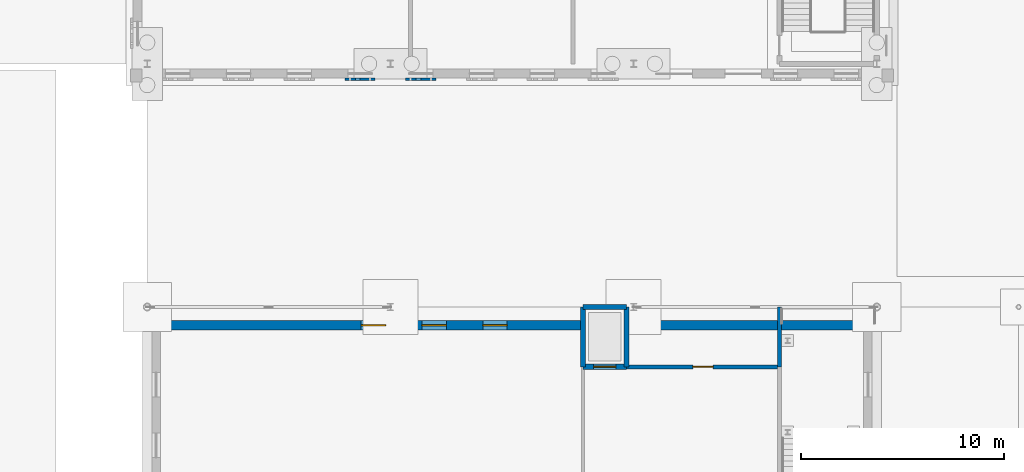
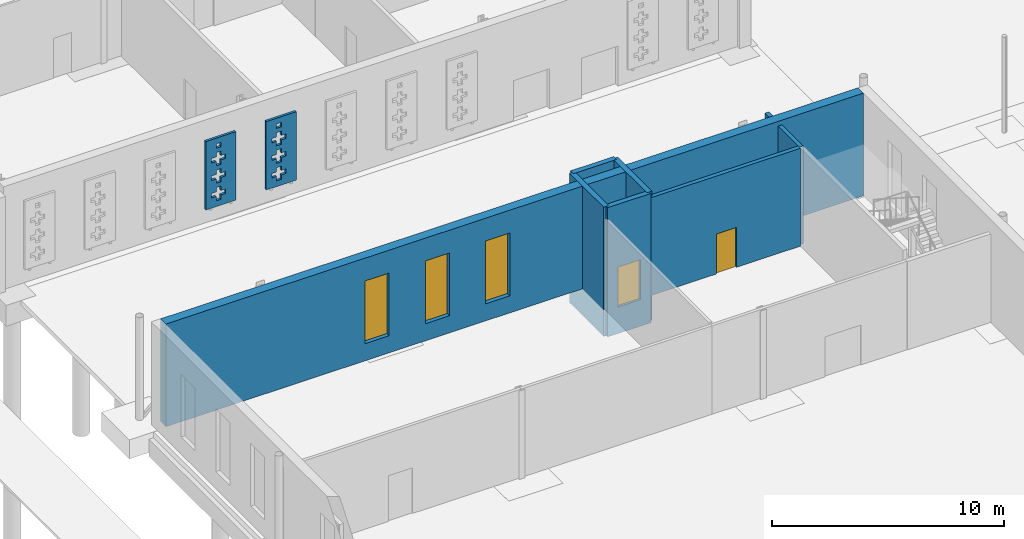
# One storey, part 79 of 132: 9 walls, 3 windows, 2 doors, 37 openings.
"""IFC4 building model written with IfcOpenShell, lengths in metres."""

from ifc_helpers import new_model, si_unit, direction, frame, frame_2d, origin, place, context, subcontext, project, spatial, rectangle, extrude, material, layer, layer_set, type_object, element, fill, save


model = new_model("IFC4")

# Units and contexts
model_context = context("Model", 3, precision=1e-05, world=origin(), true_north=direction((0.0, 1.0)))
body_context = subcontext(model_context, "Body", "Model", "MODEL_VIEW")
ifc_project = project(units=[si_unit("LENGTHUNIT", "METRE"), si_unit("AREAUNIT", "SQUARE_METRE"), si_unit("VOLUMEUNIT", "CUBIC_METRE"), si_unit("PLANEANGLEUNIT", "RADIAN"), si_unit("MASSUNIT", "GRAM", prefix="KILO")], contexts=[model_context])

# Site, building, storey
site_placement = place(None, origin())
site = spatial("IfcSite", under=ifc_project, at=site_placement, CompositionType="ELEMENT")
building_placement = place(site_placement, origin())
building = spatial("IfcBuilding", under=site, at=building_placement, Name="Ravi Spectrum Wholesale Market", CompositionType="ELEMENT")
storey_placement = place(building_placement, origin())
storey = spatial("IfcBuildingStorey", under=building, at=storey_placement, Name="L00", CompositionType="ELEMENT", Elevation=0.0)

# Wall, opening, door
ifc_material_1 = material(Name="Concrete blockwork", Category="masonry")
ifc_layer_1 = layer(ifc_material_1, 0.199951171875)
ifc_layer_set_1 = layer_set([ifc_layer_1], Name="Concrete blockwork")
wall_type_1 = type_object("IfcWallType", Name="Blockwork partition 200 fire", PredefinedType="PARTITIONING", material=ifc_layer_set_1)
wall_1_placement = place(storey_placement, frame((185.64990234375, 183.050048828125, 0.0), z_axis=(0.0, 0.0, 1.0), x_axis=(1.0, 0.0, 0.0)))
wall_1 = element("IfcWall", 1, at=wall_1_placement, inside=storey, type_object=wall_type_1, Name="H3-WL-L00-015", PredefinedType="PARTITIONING", context=body_context, shape_type="SweptSolid", body=[
    extrude(rectangle(XDim=7.4501953125, YDim=0.199951171875, at=frame_2d((3.72509765625, 0.0))), origin(), (0.0, 0.0, 1.0), 5.14990234375),
])
opening_1_placement = place(wall_1_placement, frame((3.27490234375, 0.0, 0.0)))
opening_1 = element("IfcOpeningElement", 2, at=opening_1_placement, cuts=wall_1, Name="Opening D367", PredefinedType="OPENING", context=body_context, shape_type="SweptSolid", body=[
    extrude(rectangle(XDim=1.0, YDim=2.10009765625, at=frame_2d((0.5, 1.050048828125))), frame((0.0, 0.10986328125, 0.0), z_axis=(0.0, -1.0, 0.0), x_axis=(1.0, 0.0, 0.0)), (0.0, 0.0, 1.0), 0.219970703125),
])
ifc_material_2 = material(Name="Steel door", Category="steel")
door_type_1 = type_object("IfcDoorType", Name="Plant room door 1000 x 2100", OperationType="SINGLE_SWING_LEFT", PredefinedType="DOOR", material=ifc_material_2)
door_1_placement = place(opening_1_placement, origin())
door_1 = element("IfcDoor", 3, at=door_1_placement, inside=storey, type_object=door_type_1, Name="Riser access door D367", OperationType="SINGLE_SWING_LEFT", OverallHeight=2.10009765625, OverallWidth=1.0, PredefinedType="DOOR", context=body_context, shape_type="SweptSolid", body=[
    extrude(rectangle(XDim=1.0, YDim=2.10009765625, at=frame_2d((0.5, 1.050048828125))), frame((0.0, 0.02490234375, 0.0), z_axis=(0.0, -1.0, 0.0), x_axis=(1.0, 0.0, 0.0)), (0.0, 0.0, 1.0), 0.050048828125),
])
fill(opening_1, door_1)

# Wall
wall_2_placement = place(storey_placement, frame((193.199951171875, 183.050048828125, 0.0), z_axis=(0.0, 0.0, 1.0), x_axis=(0.0, 1.0, 0.0)))
element("IfcWall", 4, at=wall_2_placement, inside=storey, type_object=wall_type_1, Name="H3-WL-L00-021", PredefinedType="PARTITIONING", context=body_context, shape_type="SweptSolid", body=[
    extrude(rectangle(XDim=2.949951171875, YDim=0.199951171875, at=frame_2d((1.47509765625, 0.0))), origin(), (0.0, 0.0, 1.0), 5.14990234375),
])

# Wall, openings, windows
ifc_material_3 = material(Name="Clinker brickwork", Category="masonry")
ifc_layer_2 = layer(ifc_material_3, 0.4599609375)
ifc_layer_set_2 = layer_set([ifc_layer_2], Name="Clinker brickwork")
wall_type_2 = type_object("IfcWallType", Name="Brick 460 pier wall", PredefinedType="SOLIDWALL", material=ifc_layer_set_2)
wall_3_placement = place(storey_placement, frame((162.65771484375, 185.10009765625, 0.0), z_axis=(0.0, 0.0, 1.0), x_axis=(1.0, 0.0, 0.0)))
wall_3 = element("IfcWall", 5, at=wall_3_placement, inside=storey, type_object=wall_type_2, Name="Flower Hall north wall", PredefinedType="SOLIDWALL", context=body_context, shape_type="SweptSolid", body=[
    extrude(rectangle(XDim=34.6845703125, YDim=0.4599609375, at=frame_2d((17.34228515625, 0.0))), origin(), (0.0, 0.0, 1.0), 5.39990234375),
])
opening_2_placement = place(wall_3_placement, frame((9.89990234375, 0.0, 0.89990234375)))
opening_2 = element("IfcOpeningElement", 6, at=opening_2_placement, cuts=wall_3, Name="Opening W2229", PredefinedType="OPENING", context=body_context, shape_type="SweptSolid", body=[
    extrude(rectangle(XDim=1.199951171875, YDim=3.300048828125, at=frame_2d((0.60009765625, 1.64990234375))), frame((0.0, 0.239990234375, 0.0), z_axis=(0.0, -1.0, 0.0), x_axis=(1.0, 0.0, 0.0)), (0.0, 0.0, 1.0), 0.47998046875),
])
opening_3_placement = place(wall_3_placement, frame((12.89990234375, 0.0, 0.89990234375)))
opening_3 = element("IfcOpeningElement", 7, at=opening_3_placement, cuts=wall_3, Name="Opening W2230", PredefinedType="OPENING", context=body_context, shape_type="SweptSolid", body=[
    extrude(rectangle(XDim=1.199951171875, YDim=3.300048828125, at=frame_2d((0.60009765625, 1.64990234375))), frame((0.0, 0.239990234375, 0.0), z_axis=(0.0, -1.0, 0.0), x_axis=(1.0, 0.0, 0.0)), (0.0, 0.0, 1.0), 0.47998046875),
])
opening_4_placement = place(wall_3_placement, frame((15.89990234375, 0.0, 0.89990234375)))
opening_4 = element("IfcOpeningElement", 8, at=opening_4_placement, cuts=wall_3, Name="Opening W2231", PredefinedType="OPENING", context=body_context, shape_type="SweptSolid", body=[
    extrude(rectangle(XDim=1.199951171875, YDim=3.300048828125, at=frame_2d((0.60009765625, 1.64990234375))), frame((0.0, 0.239990234375, 0.0), z_axis=(0.0, -1.0, 0.0), x_axis=(1.0, 0.0, 0.0)), (0.0, 0.0, 1.0), 0.47998046875),
])
ifc_material_4 = material(Name="Steel window frame", Category="steel")
window_type = type_object("IfcWindowType", Name="Tall pier window 1200 x 3300", PartitioningType="SINGLE_PANEL", PredefinedType="WINDOW", material=ifc_material_4)
window_1_placement = place(opening_2_placement, origin())
window_1 = element("IfcWindow", 9, at=window_1_placement, inside=storey, type_object=window_type, Name="Window W2229", OverallHeight=3.300048828125, OverallWidth=1.199951171875, PartitioningType="SINGLE_PANEL", PredefinedType="WINDOW", context=body_context, shape_type="SweptSolid", body=[
    extrude(rectangle(XDim=1.199951171875, YDim=3.300048828125, at=frame_2d((0.60009765625, 1.64990234375))), frame((0.0, 0.030029296875, 0.0), z_axis=(0.0, -1.0, 0.0), x_axis=(1.0, 0.0, 0.0)), (0.0, 0.0, 1.0), 0.06005859375),
])
fill(opening_2, window_1)
window_2_placement = place(opening_3_placement, origin())
window_2 = element("IfcWindow", 10, at=window_2_placement, inside=storey, type_object=window_type, Name="Window W2230", OverallHeight=3.300048828125, OverallWidth=1.199951171875, PartitioningType="SINGLE_PANEL", PredefinedType="WINDOW", context=body_context, shape_type="SweptSolid", body=[
    extrude(rectangle(XDim=1.199951171875, YDim=3.300048828125, at=frame_2d((0.60009765625, 1.64990234375))), frame((0.0, 0.030029296875, 0.0), z_axis=(0.0, -1.0, 0.0), x_axis=(1.0, 0.0, 0.0)), (0.0, 0.0, 1.0), 0.06005859375),
])
fill(opening_3, window_2)
window_3_placement = place(opening_4_placement, origin())
window_3 = element("IfcWindow", 11, at=window_3_placement, inside=storey, type_object=window_type, Name="Window W2231", OverallHeight=3.300048828125, OverallWidth=1.199951171875, PartitioningType="SINGLE_PANEL", PredefinedType="WINDOW", context=body_context, shape_type="SweptSolid", body=[
    extrude(rectangle(XDim=1.199951171875, YDim=3.300048828125, at=frame_2d((0.60009765625, 1.64990234375))), frame((0.0, 0.030029296875, 0.0), z_axis=(0.0, -1.0, 0.0), x_axis=(1.0, 0.0, 0.0)), (0.0, 0.0, 1.0), 0.06005859375),
])
fill(opening_4, window_3)

# Wall, openings
ifc_material_5 = material(Name="Facing brickwork", Category="masonry")
ifc_layer_3 = layer(ifc_material_5, 0.114990234375)
ifc_layer_set_3 = layer_set([ifc_layer_3], Name="Facing brickwork")
wall_type_3 = type_object("IfcWallType", Name="Perforated brick screen 115", PredefinedType="SOLIDWALL", material=ifc_layer_set_3)
wall_4_placement = place(storey_placement, frame((171.75, 197.232421875, 0.75), z_axis=(0.0, 0.0, 1.0), x_axis=(1.0, 0.0, 0.0)))
wall_4 = element("IfcWall", 12, at=wall_4_placement, inside=storey, type_object=wall_type_3, Name="AU-WL-L00-013", PredefinedType="SOLIDWALL", context=body_context, shape_type="SweptSolid", body=[
    extrude(rectangle(XDim=1.5, YDim=0.114990234375, at=frame_2d((0.75, 0.0))), origin(), (0.0, 0.0, 1.0), 3.60009765625),
])
opening_5_placement = place(wall_4_placement, frame((0.52001953125, 0.0, 0.304931640625)))
element("IfcOpeningElement", 13, at=opening_5_placement, cuts=wall_4, Name="Opening AU-OP-L00-049", PredefinedType="OPENING", context=body_context, shape_type="SweptSolid", body=[
    extrude(rectangle(XDim=0.22998046875, YDim=0.22998046875, at=frame_2d((0.114990234375, 0.114990234375))), frame((0.0, 0.0673828125, 0.0), z_axis=(0.0, -1.0, 0.0), x_axis=(1.0, 0.0, 0.0)), (0.0, 0.0, 1.0), 0.135009765625),
])
opening_6_placement = place(wall_4_placement, frame((0.2900390625, 0.0, 0.534912109375)))
element("IfcOpeningElement", 14, at=opening_6_placement, cuts=wall_4, Name="Opening AU-OP-L00-050", PredefinedType="OPENING", context=body_context, shape_type="SweptSolid", body=[
    extrude(rectangle(XDim=0.22998046875, YDim=0.22998046875, at=frame_2d((0.114990234375, 0.114990234375))), frame((0.0, 0.0673828125, 0.0), z_axis=(0.0, -1.0, 0.0), x_axis=(1.0, 0.0, 0.0)), (0.0, 0.0, 1.0), 0.135009765625),
])
opening_7_placement = place(wall_4_placement, frame((0.52001953125, 0.0, 0.534912109375)))
element("IfcOpeningElement", 15, at=opening_7_placement, cuts=wall_4, Name="Opening AU-OP-L00-051", PredefinedType="OPENING", context=body_context, shape_type="SweptSolid", body=[
    extrude(rectangle(XDim=0.22998046875, YDim=0.22998046875, at=frame_2d((0.114990234375, 0.114990234375))), frame((0.0, 0.0673828125, 0.0), z_axis=(0.0, -1.0, 0.0), x_axis=(1.0, 0.0, 0.0)), (0.0, 0.0, 1.0), 0.135009765625),
])
opening_8_placement = place(wall_4_placement, frame((0.75, 0.0, 0.534912109375)))
element("IfcOpeningElement", 16, at=opening_8_placement, cuts=wall_4, Name="Opening AU-OP-L00-052", PredefinedType="OPENING", context=body_context, shape_type="SweptSolid", body=[
    extrude(rectangle(XDim=0.22998046875, YDim=0.22998046875, at=frame_2d((0.114990234375, 0.114990234375))), frame((0.0, 0.0673828125, 0.0), z_axis=(0.0, -1.0, 0.0), x_axis=(1.0, 0.0, 0.0)), (0.0, 0.0, 1.0), 0.135009765625),
])
opening_9_placement = place(wall_4_placement, frame((0.52001953125, 0.0, 0.764892578125)))
element("IfcOpeningElement", 17, at=opening_9_placement, cuts=wall_4, Name="Opening AU-OP-L00-053", PredefinedType="OPENING", context=body_context, shape_type="SweptSolid", body=[
    extrude(rectangle(XDim=0.22998046875, YDim=0.22998046875, at=frame_2d((0.114990234375, 0.114990234375))), frame((0.0, 0.0673828125, 0.0), z_axis=(0.0, -1.0, 0.0), x_axis=(1.0, 0.0, 0.0)), (0.0, 0.0, 1.0), 0.135009765625),
])
opening_10_placement = place(wall_4_placement, frame((0.52001953125, 0.0, 1.22509765625)))
element("IfcOpeningElement", 18, at=opening_10_placement, cuts=wall_4, Name="Opening AU-OP-L00-054", PredefinedType="OPENING", context=body_context, shape_type="SweptSolid", body=[
    extrude(rectangle(XDim=0.22998046875, YDim=0.22998046875, at=frame_2d((0.114990234375, 0.114990234375))), frame((0.0, 0.0673828125, 0.0), z_axis=(0.0, -1.0, 0.0), x_axis=(1.0, 0.0, 0.0)), (0.0, 0.0, 1.0), 0.135009765625),
])
opening_11_placement = place(wall_4_placement, frame((0.2900390625, 0.0, 1.455078125)))
element("IfcOpeningElement", 19, at=opening_11_placement, cuts=wall_4, Name="Opening AU-OP-L00-055", PredefinedType="OPENING", context=body_context, shape_type="SweptSolid", body=[
    extrude(rectangle(XDim=0.22998046875, YDim=0.22998046875, at=frame_2d((0.114990234375, 0.114990234375))), frame((0.0, 0.0673828125, 0.0), z_axis=(0.0, -1.0, 0.0), x_axis=(1.0, 0.0, 0.0)), (0.0, 0.0, 1.0), 0.135009765625),
])
opening_12_placement = place(wall_4_placement, frame((0.52001953125, 0.0, 1.455078125)))
element("IfcOpeningElement", 20, at=opening_12_placement, cuts=wall_4, Name="Opening AU-OP-L00-056", PredefinedType="OPENING", context=body_context, shape_type="SweptSolid", body=[
    extrude(rectangle(XDim=0.22998046875, YDim=0.22998046875, at=frame_2d((0.114990234375, 0.114990234375))), frame((0.0, 0.0673828125, 0.0), z_axis=(0.0, -1.0, 0.0), x_axis=(1.0, 0.0, 0.0)), (0.0, 0.0, 1.0), 0.135009765625),
])
opening_13_placement = place(wall_4_placement, frame((0.75, 0.0, 1.455078125)))
element("IfcOpeningElement", 21, at=opening_13_placement, cuts=wall_4, Name="Opening AU-OP-L00-057", PredefinedType="OPENING", context=body_context, shape_type="SweptSolid", body=[
    extrude(rectangle(XDim=0.22998046875, YDim=0.22998046875, at=frame_2d((0.114990234375, 0.114990234375))), frame((0.0, 0.0673828125, 0.0), z_axis=(0.0, -1.0, 0.0), x_axis=(1.0, 0.0, 0.0)), (0.0, 0.0, 1.0), 0.135009765625),
])
opening_14_placement = place(wall_4_placement, frame((0.52001953125, 0.0, 1.68505859375)))
element("IfcOpeningElement", 22, at=opening_14_placement, cuts=wall_4, Name="Opening AU-OP-L00-058", PredefinedType="OPENING", context=body_context, shape_type="SweptSolid", body=[
    extrude(rectangle(XDim=0.22998046875, YDim=0.22998046875, at=frame_2d((0.114990234375, 0.114990234375))), frame((0.0, 0.0673828125, 0.0), z_axis=(0.0, -1.0, 0.0), x_axis=(1.0, 0.0, 0.0)), (0.0, 0.0, 1.0), 0.135009765625),
])
opening_15_placement = place(wall_4_placement, frame((0.52001953125, 0.0, 2.14501953125)))
element("IfcOpeningElement", 23, at=opening_15_placement, cuts=wall_4, Name="Opening AU-OP-L00-059", PredefinedType="OPENING", context=body_context, shape_type="SweptSolid", body=[
    extrude(rectangle(XDim=0.22998046875, YDim=0.22998046875, at=frame_2d((0.114990234375, 0.114990234375))), frame((0.0, 0.0673828125, 0.0), z_axis=(0.0, -1.0, 0.0), x_axis=(1.0, 0.0, 0.0)), (0.0, 0.0, 1.0), 0.135009765625),
])
opening_16_placement = place(wall_4_placement, frame((0.2900390625, 0.0, 2.375)))
element("IfcOpeningElement", 24, at=opening_16_placement, cuts=wall_4, Name="Opening AU-OP-L00-060", PredefinedType="OPENING", context=body_context, shape_type="SweptSolid", body=[
    extrude(rectangle(XDim=0.22998046875, YDim=0.22998046875, at=frame_2d((0.114990234375, 0.114990234375))), frame((0.0, 0.0673828125, 0.0), z_axis=(0.0, -1.0, 0.0), x_axis=(1.0, 0.0, 0.0)), (0.0, 0.0, 1.0), 0.135009765625),
])
opening_17_placement = place(wall_4_placement, frame((0.52001953125, 0.0, 2.375)))
element("IfcOpeningElement", 25, at=opening_17_placement, cuts=wall_4, Name="Opening AU-OP-L00-061", PredefinedType="OPENING", context=body_context, shape_type="SweptSolid", body=[
    extrude(rectangle(XDim=0.22998046875, YDim=0.22998046875, at=frame_2d((0.114990234375, 0.114990234375))), frame((0.0, 0.0673828125, 0.0), z_axis=(0.0, -1.0, 0.0), x_axis=(1.0, 0.0, 0.0)), (0.0, 0.0, 1.0), 0.135009765625),
])
opening_18_placement = place(wall_4_placement, frame((0.75, 0.0, 2.375)))
element("IfcOpeningElement", 26, at=opening_18_placement, cuts=wall_4, Name="Opening AU-OP-L00-062", PredefinedType="OPENING", context=body_context, shape_type="SweptSolid", body=[
    extrude(rectangle(XDim=0.22998046875, YDim=0.22998046875, at=frame_2d((0.114990234375, 0.114990234375))), frame((0.0, 0.0673828125, 0.0), z_axis=(0.0, -1.0, 0.0), x_axis=(1.0, 0.0, 0.0)), (0.0, 0.0, 1.0), 0.135009765625),
])
opening_19_placement = place(wall_4_placement, frame((0.52001953125, 0.0, 2.60498046875)))
element("IfcOpeningElement", 27, at=opening_19_placement, cuts=wall_4, Name="Opening AU-OP-L00-063", PredefinedType="OPENING", context=body_context, shape_type="SweptSolid", body=[
    extrude(rectangle(XDim=0.22998046875, YDim=0.22998046875, at=frame_2d((0.114990234375, 0.114990234375))), frame((0.0, 0.0673828125, 0.0), z_axis=(0.0, -1.0, 0.0), x_axis=(1.0, 0.0, 0.0)), (0.0, 0.0, 1.0), 0.135009765625),
])
opening_20_placement = place(wall_4_placement, frame((0.52001953125, 0.0, 3.06494140625)))
element("IfcOpeningElement", 28, at=opening_20_placement, cuts=wall_4, Name="Opening AU-OP-L00-064", PredefinedType="OPENING", context=body_context, shape_type="SweptSolid", body=[
    extrude(rectangle(XDim=0.22998046875, YDim=0.22998046875, at=frame_2d((0.114990234375, 0.114990234375))), frame((0.0, 0.0673828125, 0.0), z_axis=(0.0, -1.0, 0.0), x_axis=(1.0, 0.0, 0.0)), (0.0, 0.0, 1.0), 0.135009765625),
])

wall_5_placement = place(storey_placement, frame((174.75, 197.232421875, 0.75), z_axis=(0.0, 0.0, 1.0), x_axis=(1.0, 0.0, 0.0)))
wall_5 = element("IfcWall", 29, at=wall_5_placement, inside=storey, type_object=wall_type_3, Name="AU-WL-L00-014", PredefinedType="SOLIDWALL", context=body_context, shape_type="SweptSolid", body=[
    extrude(rectangle(XDim=1.5, YDim=0.114990234375, at=frame_2d((0.75, 0.0))), origin(), (0.0, 0.0, 1.0), 3.60009765625),
])
opening_21_placement = place(wall_5_placement, frame((0.52001953125, 0.0, 0.304931640625)))
element("IfcOpeningElement", 30, at=opening_21_placement, cuts=wall_5, Name="Opening AU-OP-L00-065", PredefinedType="OPENING", context=body_context, shape_type="SweptSolid", body=[
    extrude(rectangle(XDim=0.22998046875, YDim=0.22998046875, at=frame_2d((0.114990234375, 0.114990234375))), frame((0.0, 0.0673828125, 0.0), z_axis=(0.0, -1.0, 0.0), x_axis=(1.0, 0.0, 0.0)), (0.0, 0.0, 1.0), 0.135009765625),
])
opening_22_placement = place(wall_5_placement, frame((0.2900390625, 0.0, 0.534912109375)))
element("IfcOpeningElement", 31, at=opening_22_placement, cuts=wall_5, Name="Opening AU-OP-L00-066", PredefinedType="OPENING", context=body_context, shape_type="SweptSolid", body=[
    extrude(rectangle(XDim=0.22998046875, YDim=0.22998046875, at=frame_2d((0.114990234375, 0.114990234375))), frame((0.0, 0.0673828125, 0.0), z_axis=(0.0, -1.0, 0.0), x_axis=(1.0, 0.0, 0.0)), (0.0, 0.0, 1.0), 0.135009765625),
])
opening_23_placement = place(wall_5_placement, frame((0.52001953125, 0.0, 0.534912109375)))
element("IfcOpeningElement", 32, at=opening_23_placement, cuts=wall_5, Name="Opening AU-OP-L00-067", PredefinedType="OPENING", context=body_context, shape_type="SweptSolid", body=[
    extrude(rectangle(XDim=0.22998046875, YDim=0.22998046875, at=frame_2d((0.114990234375, 0.114990234375))), frame((0.0, 0.0673828125, 0.0), z_axis=(0.0, -1.0, 0.0), x_axis=(1.0, 0.0, 0.0)), (0.0, 0.0, 1.0), 0.135009765625),
])
opening_24_placement = place(wall_5_placement, frame((0.75, 0.0, 0.534912109375)))
element("IfcOpeningElement", 33, at=opening_24_placement, cuts=wall_5, Name="Opening AU-OP-L00-068", PredefinedType="OPENING", context=body_context, shape_type="SweptSolid", body=[
    extrude(rectangle(XDim=0.22998046875, YDim=0.22998046875, at=frame_2d((0.114990234375, 0.114990234375))), frame((0.0, 0.0673828125, 0.0), z_axis=(0.0, -1.0, 0.0), x_axis=(1.0, 0.0, 0.0)), (0.0, 0.0, 1.0), 0.135009765625),
])
opening_25_placement = place(wall_5_placement, frame((0.52001953125, 0.0, 0.764892578125)))
element("IfcOpeningElement", 34, at=opening_25_placement, cuts=wall_5, Name="Opening AU-OP-L00-069", PredefinedType="OPENING", context=body_context, shape_type="SweptSolid", body=[
    extrude(rectangle(XDim=0.22998046875, YDim=0.22998046875, at=frame_2d((0.114990234375, 0.114990234375))), frame((0.0, 0.0673828125, 0.0), z_axis=(0.0, -1.0, 0.0), x_axis=(1.0, 0.0, 0.0)), (0.0, 0.0, 1.0), 0.135009765625),
])
opening_26_placement = place(wall_5_placement, frame((0.52001953125, 0.0, 1.22509765625)))
element("IfcOpeningElement", 35, at=opening_26_placement, cuts=wall_5, Name="Opening AU-OP-L00-070", PredefinedType="OPENING", context=body_context, shape_type="SweptSolid", body=[
    extrude(rectangle(XDim=0.22998046875, YDim=0.22998046875, at=frame_2d((0.114990234375, 0.114990234375))), frame((0.0, 0.0673828125, 0.0), z_axis=(0.0, -1.0, 0.0), x_axis=(1.0, 0.0, 0.0)), (0.0, 0.0, 1.0), 0.135009765625),
])
opening_27_placement = place(wall_5_placement, frame((0.2900390625, 0.0, 1.455078125)))
element("IfcOpeningElement", 36, at=opening_27_placement, cuts=wall_5, Name="Opening AU-OP-L00-071", PredefinedType="OPENING", context=body_context, shape_type="SweptSolid", body=[
    extrude(rectangle(XDim=0.22998046875, YDim=0.22998046875, at=frame_2d((0.114990234375, 0.114990234375))), frame((0.0, 0.0673828125, 0.0), z_axis=(0.0, -1.0, 0.0), x_axis=(1.0, 0.0, 0.0)), (0.0, 0.0, 1.0), 0.135009765625),
])
opening_28_placement = place(wall_5_placement, frame((0.52001953125, 0.0, 1.455078125)))
element("IfcOpeningElement", 37, at=opening_28_placement, cuts=wall_5, Name="Opening AU-OP-L00-072", PredefinedType="OPENING", context=body_context, shape_type="SweptSolid", body=[
    extrude(rectangle(XDim=0.22998046875, YDim=0.22998046875, at=frame_2d((0.114990234375, 0.114990234375))), frame((0.0, 0.0673828125, 0.0), z_axis=(0.0, -1.0, 0.0), x_axis=(1.0, 0.0, 0.0)), (0.0, 0.0, 1.0), 0.135009765625),
])
opening_29_placement = place(wall_5_placement, frame((0.75, 0.0, 1.455078125)))
element("IfcOpeningElement", 38, at=opening_29_placement, cuts=wall_5, Name="Opening AU-OP-L00-073", PredefinedType="OPENING", context=body_context, shape_type="SweptSolid", body=[
    extrude(rectangle(XDim=0.22998046875, YDim=0.22998046875, at=frame_2d((0.114990234375, 0.114990234375))), frame((0.0, 0.0673828125, 0.0), z_axis=(0.0, -1.0, 0.0), x_axis=(1.0, 0.0, 0.0)), (0.0, 0.0, 1.0), 0.135009765625),
])
opening_30_placement = place(wall_5_placement, frame((0.52001953125, 0.0, 1.68505859375)))
element("IfcOpeningElement", 39, at=opening_30_placement, cuts=wall_5, Name="Opening AU-OP-L00-074", PredefinedType="OPENING", context=body_context, shape_type="SweptSolid", body=[
    extrude(rectangle(XDim=0.22998046875, YDim=0.22998046875, at=frame_2d((0.114990234375, 0.114990234375))), frame((0.0, 0.0673828125, 0.0), z_axis=(0.0, -1.0, 0.0), x_axis=(1.0, 0.0, 0.0)), (0.0, 0.0, 1.0), 0.135009765625),
])
opening_31_placement = place(wall_5_placement, frame((0.52001953125, 0.0, 2.14501953125)))
element("IfcOpeningElement", 40, at=opening_31_placement, cuts=wall_5, Name="Opening AU-OP-L00-075", PredefinedType="OPENING", context=body_context, shape_type="SweptSolid", body=[
    extrude(rectangle(XDim=0.22998046875, YDim=0.22998046875, at=frame_2d((0.114990234375, 0.114990234375))), frame((0.0, 0.0673828125, 0.0), z_axis=(0.0, -1.0, 0.0), x_axis=(1.0, 0.0, 0.0)), (0.0, 0.0, 1.0), 0.135009765625),
])
opening_32_placement = place(wall_5_placement, frame((0.2900390625, 0.0, 2.375)))
element("IfcOpeningElement", 41, at=opening_32_placement, cuts=wall_5, Name="Opening AU-OP-L00-076", PredefinedType="OPENING", context=body_context, shape_type="SweptSolid", body=[
    extrude(rectangle(XDim=0.22998046875, YDim=0.22998046875, at=frame_2d((0.114990234375, 0.114990234375))), frame((0.0, 0.0673828125, 0.0), z_axis=(0.0, -1.0, 0.0), x_axis=(1.0, 0.0, 0.0)), (0.0, 0.0, 1.0), 0.135009765625),
])
opening_33_placement = place(wall_5_placement, frame((0.52001953125, 0.0, 2.375)))
element("IfcOpeningElement", 42, at=opening_33_placement, cuts=wall_5, Name="Opening AU-OP-L00-077", PredefinedType="OPENING", context=body_context, shape_type="SweptSolid", body=[
    extrude(rectangle(XDim=0.22998046875, YDim=0.22998046875, at=frame_2d((0.114990234375, 0.114990234375))), frame((0.0, 0.0673828125, 0.0), z_axis=(0.0, -1.0, 0.0), x_axis=(1.0, 0.0, 0.0)), (0.0, 0.0, 1.0), 0.135009765625),
])
opening_34_placement = place(wall_5_placement, frame((0.75, 0.0, 2.375)))
element("IfcOpeningElement", 43, at=opening_34_placement, cuts=wall_5, Name="Opening AU-OP-L00-078", PredefinedType="OPENING", context=body_context, shape_type="SweptSolid", body=[
    extrude(rectangle(XDim=0.22998046875, YDim=0.22998046875, at=frame_2d((0.114990234375, 0.114990234375))), frame((0.0, 0.0673828125, 0.0), z_axis=(0.0, -1.0, 0.0), x_axis=(1.0, 0.0, 0.0)), (0.0, 0.0, 1.0), 0.135009765625),
])
opening_35_placement = place(wall_5_placement, frame((0.52001953125, 0.0, 2.60498046875)))
element("IfcOpeningElement", 44, at=opening_35_placement, cuts=wall_5, Name="Opening AU-OP-L00-079", PredefinedType="OPENING", context=body_context, shape_type="SweptSolid", body=[
    extrude(rectangle(XDim=0.22998046875, YDim=0.22998046875, at=frame_2d((0.114990234375, 0.114990234375))), frame((0.0, 0.0673828125, 0.0), z_axis=(0.0, -1.0, 0.0), x_axis=(1.0, 0.0, 0.0)), (0.0, 0.0, 1.0), 0.135009765625),
])
opening_36_placement = place(wall_5_placement, frame((0.52001953125, 0.0, 3.06494140625)))
element("IfcOpeningElement", 45, at=opening_36_placement, cuts=wall_5, Name="Opening AU-OP-L00-080", PredefinedType="OPENING", context=body_context, shape_type="SweptSolid", body=[
    extrude(rectangle(XDim=0.22998046875, YDim=0.22998046875, at=frame_2d((0.114990234375, 0.114990234375))), frame((0.0, 0.0673828125, 0.0), z_axis=(0.0, -1.0, 0.0), x_axis=(1.0, 0.0, 0.0)), (0.0, 0.0, 1.0), 0.135009765625),
])

# Walls
ifc_material_6 = material(Name="Concrete C35/45", Category="concrete")
ifc_layer_4 = layer(ifc_material_6, 0.25)
ifc_layer_set_4 = layer_set([ifc_layer_4], Name="Concrete C35/45")
wall_type_4 = type_object("IfcWallType", Name="Shaft wall 250", PredefinedType="SHEAR", material=ifc_layer_set_4)
wall_6_placement = place(storey_placement, frame((185.64990234375, 183.050048828125, -1.39990234375), z_axis=(0.0, 0.0, 1.0), x_axis=(0.0, 1.0, 0.0)))
element("IfcWall", 46, at=wall_6_placement, inside=storey, type_object=wall_type_4, Name="H3-WL-L00-LF-H3-1-E", PredefinedType="SHEAR", context=body_context, shape_type="SweptSolid", body=[
    extrude(rectangle(XDim=2.949951171875, YDim=0.25, at=frame_2d((1.47509765625, 0.0))), origin(), (0.0, 0.0, 1.0), 6.7998046875),
])
wall_7_placement = place(storey_placement, frame((185.64990234375, 186.0, -1.39990234375), z_axis=(0.0, 0.0, 1.0), x_axis=(-1.0, 0.0, 0.0)))
element("IfcWall", 47, at=wall_7_placement, inside=storey, type_object=wall_type_4, Name="H3-WL-L00-LF-H3-1-N", PredefinedType="SHEAR", context=body_context, shape_type="SweptSolid", body=[
    extrude(rectangle(XDim=2.14990234375, YDim=0.25, at=frame_2d((1.074951171875, 0.0))), origin(), (0.0, 0.0, 1.0), 6.7998046875),
])

# Wall, opening, door
wall_8_placement = place(storey_placement, frame((183.5, 183.050048828125, -1.39990234375), z_axis=(0.0, 0.0, 1.0), x_axis=(1.0, 0.0, 0.0)))
wall_8 = element("IfcWall", 48, at=wall_8_placement, inside=storey, type_object=wall_type_4, Name="H3-WL-L00-LF-H3-1-S", PredefinedType="SHEAR", context=body_context, shape_type="SweptSolid", body=[
    extrude(rectangle(XDim=2.14990234375, YDim=0.25, at=frame_2d((1.074951171875, 0.0))), origin(), (0.0, 0.0, 1.0), 6.7998046875),
])
opening_37_placement = place(wall_8_placement, frame((0.52490234375, 0.0, 1.39990234375)))
opening_37 = element("IfcOpeningElement", 49, at=opening_37_placement, cuts=wall_8, Name="Opening D373", PredefinedType="OPENING", context=body_context, shape_type="SweptSolid", body=[
    extrude(rectangle(XDim=1.10009765625, YDim=2.10009765625, at=frame_2d((0.550048828125, 1.050048828125))), frame((0.0, 0.135009765625, 0.0), z_axis=(0.0, -1.0, 0.0), x_axis=(1.0, 0.0, 0.0)), (0.0, 0.0, 1.0), 0.27001953125),
])
ifc_material_7 = material(Name="Stainless steel door", Category="steel")
door_type_2 = type_object("IfcDoorType", Name="Lift landing door 1100 x 2100", OperationType="SLIDING_TO_LEFT", PredefinedType="DOOR", material=ifc_material_7)
door_2_placement = place(opening_37_placement, origin())
door_2 = element("IfcDoor", 50, at=door_2_placement, inside=storey, type_object=door_type_2, Name="Landing door LF-H3-1 L00", OperationType="SLIDING_TO_LEFT", OverallHeight=2.10009765625, OverallWidth=1.10009765625, PredefinedType="DOOR", context=body_context, shape_type="SweptSolid", body=[
    extrude(rectangle(XDim=1.10009765625, YDim=2.10009765625, at=frame_2d((0.550048828125, 1.050048828125))), frame((0.0, 0.02490234375, 0.0), z_axis=(0.0, -1.0, 0.0), x_axis=(1.0, 0.0, 0.0)), (0.0, 0.0, 1.0), 0.050048828125),
])
fill(opening_37, door_2)

# Wall
wall_9_placement = place(storey_placement, frame((183.5, 186.0, -1.39990234375), z_axis=(0.0, 0.0, 1.0), x_axis=(0.0, -1.0, 0.0)))
element("IfcWall", 51, at=wall_9_placement, inside=storey, type_object=wall_type_4, Name="H3-WL-L00-LF-H3-1-W", PredefinedType="SHEAR", context=body_context, shape_type="SweptSolid", body=[
    extrude(rectangle(XDim=2.949951171875, YDim=0.25, at=frame_2d((1.47509765625, 0.0))), origin(), (0.0, 0.0, 1.0), 6.7998046875),
])

save(model, "model.ifc")
